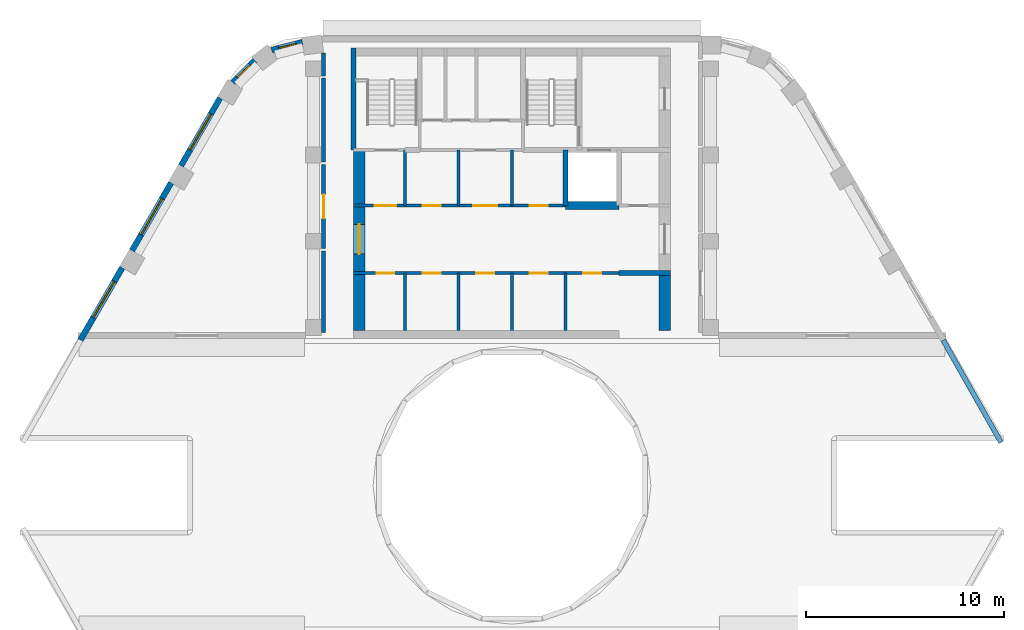
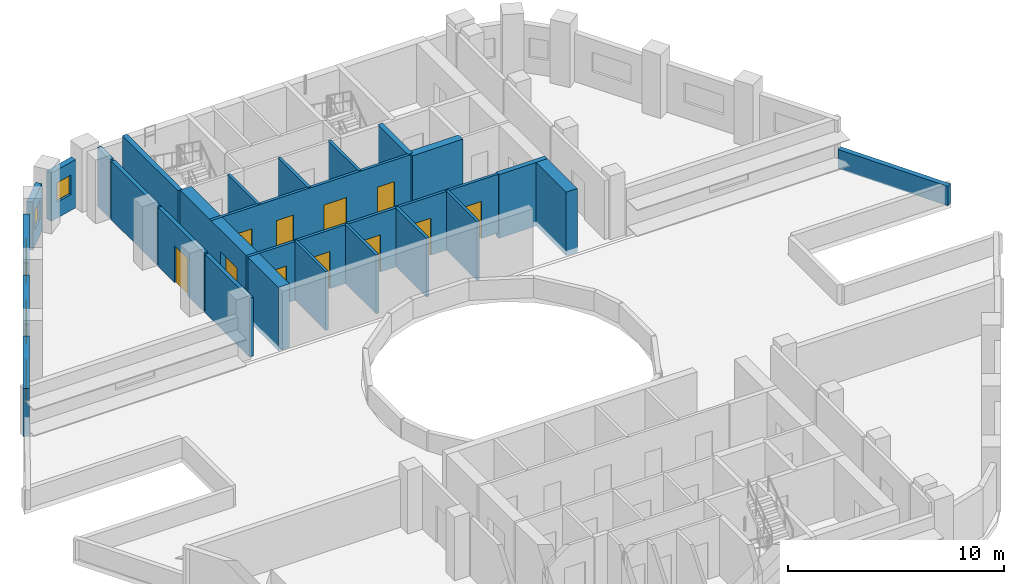
# One storey, part 4 of 9: 25 walls, 11 doors, 5 windows, 16 openings.
"""IFC4 building model written with IfcOpenShell, lengths in metres."""

import ifcopenshell
import ifcopenshell.guid

model = None  # the IFC model being written
_history = None  # IfcOwnerHistory: only IFC2X3 demands one
_inside = {}  # id of a spatial element -> (the spatial element, [elements in it])
_under = {}  # id of a project, library or spatial element -> (it, [spatial elements below it])
_declared = {}  # id of a project -> (the project, [libraries it declares])
_typed = {}  # id of a type object -> (the type object, [elements of that type])
_made_of = {}  # id of a material, layer set ... -> (it, [elements and type objects made of it])


def new_model(schema):
    """Start an empty IFC model of exactly this schema.

    Asked for "IFC4X3", IfcOpenShell would pick the latest addendum, in which some entities
    have other attributes; the version numbers below select the first issue.
    IFC2X3 requires an IfcOwnerHistory on every rooted entity: one is made here for all.
    """
    global model, _history
    if schema == "IFC4X3":
        model = ifcopenshell.file(schema_version=(4, 3, 0, 0))
    else:
        model = ifcopenshell.file(schema=schema)
    _inside.clear()
    _under.clear()
    _declared.clear()
    _typed.clear()
    _made_of.clear()
    _history = None
    if model.schema == "IFC2X3":
        org = make("IfcOrganization", Name="unknown")
        user = make(
            "IfcPersonAndOrganization",
            ThePerson=make("IfcPerson", FamilyName="unknown"),
            TheOrganization=org,
        )
        app = make(
            "IfcApplication",
            ApplicationDeveloper=org,
            Version="unknown",
            ApplicationFullName="unknown",
            ApplicationIdentifier="unknown",
        )
        _history = make(
            "IfcOwnerHistory",
            OwningUser=user,
            OwningApplication=app,
            ChangeAction="ADDED",
            CreationDate=0,
        )
    return model


def make(cls, **values):
    """One entity of the class cls with the attributes given. An attribute that is None is left unset."""
    return model.create_entity(
        cls, **{name: value for name, value in values.items() if value is not None}
    )


def rooted(cls, **values):
    """An entity with a GlobalId (a new one), such as an element, a storey or a relation."""
    return make(cls, GlobalId=ifcopenshell.guid.new(), OwnerHistory=_history, **values)


def si_unit(unit_type, name, prefix=None):
    """IfcSIUnit, for example si_unit("LENGTHUNIT", "METRE", prefix="MILLI")."""
    return make("IfcSIUnit", UnitType=unit_type, Prefix=prefix, Name=name)


def assignment(units):
    """IfcUnitAssignment: the units of a project."""
    return None if units is None else make("IfcUnitAssignment", Units=units)


def point(xyz):
    """IfcCartesianPoint."""
    return None if xyz is None else make("IfcCartesianPoint", Coordinates=xyz)


def direction(xyz):
    """IfcDirection."""
    return None if xyz is None else make("IfcDirection", DirectionRatios=xyz)


def frame(location, z_axis=None, x_axis=None):
    """IfcAxis2Placement3D, a coordinate frame: its origin and axes. An axis left out is left unset."""
    return make(
        "IfcAxis2Placement3D",
        Location=point(location),
        Axis=direction(z_axis),
        RefDirection=direction(x_axis),
    )


def frame_2d(location, x_axis=None):
    """IfcAxis2Placement2D, a coordinate frame in the plane: its origin and x axis."""
    return make(
        "IfcAxis2Placement2D", Location=point(location), RefDirection=direction(x_axis)
    )


def origin():
    """The frame at (0, 0, 0) with its axes left unset."""
    return frame((0.0, 0.0, 0.0))


def place(relative_to, where):
    """IfcLocalPlacement: puts the frame where relative to a parent placement (None: the world)."""
    return make(
        "IfcLocalPlacement", PlacementRelTo=relative_to, RelativePlacement=where
    )


def context(
    kind, dimensions, precision=None, world=None, true_north=None, identifier=None
):
    """IfcGeometricRepresentationContext, for example the 3D "Model" context."""
    return make(
        "IfcGeometricRepresentationContext",
        ContextIdentifier=identifier,
        ContextType=kind,
        CoordinateSpaceDimension=dimensions,
        Precision=precision,
        WorldCoordinateSystem=world,
        TrueNorth=true_north,
    )


def subcontext(parent, identifier, kind, view, scale=None):
    """IfcGeometricRepresentationSubContext, for example "Body" below "Model"."""
    return make(
        "IfcGeometricRepresentationSubContext",
        ContextIdentifier=identifier,
        ContextType=kind,
        ParentContext=parent,
        TargetScale=scale,
        TargetView=view,
    )


def project(units=None, contexts=None):
    """IfcProject with its units and contexts."""
    return rooted(
        "IfcProject",
        Name="project",
        RepresentationContexts=contexts,
        UnitsInContext=assignment(units),
    )


def spatial(cls, under=None, at=None, **own):
    """A site, building, storey or space (cls), placed at a placement, below another one or the project."""
    s = rooted(cls, ObjectPlacement=at, **own)
    if under is not None:
        _under.setdefault(under.id(), (under, []))[1].append(s)
    return s


def profile(cls, at=None, kind="AREA", **sizes):
    """A parametric profile (cls). Its sizes go by their IFC names, for example OverallWidth=200.0."""
    return make(cls, ProfileType=kind, Position=at, **sizes)


def rectangle(**sizes):
    """IfcRectangleProfileDef."""
    return profile("IfcRectangleProfileDef", **sizes)


def extrude(swept, where, along, depth):
    """IfcExtrudedAreaSolid: the profile swept, set in the frame where, extruded along a direction by depth."""
    return make(
        "IfcExtrudedAreaSolid",
        SweptArea=swept,
        Position=where,
        ExtrudedDirection=direction(along),
        Depth=depth,
    )


def shape(context_of_items, identifier, shape_type, items):
    """IfcShapeRepresentation: the items that make up one representation, for example the "Body"."""
    return make(
        "IfcShapeRepresentation",
        ContextOfItems=context_of_items,
        RepresentationIdentifier=identifier,
        RepresentationType=shape_type,
        Items=items,
    )


def material(Name=None, Category=None):
    """IfcMaterial."""
    return make("IfcMaterial", Name=Name, Category=Category)


def layer(
    of_material, thickness, ventilated=None, Name=None, Category=None, Priority=None
):
    """IfcMaterialLayer: one layer of a wall or slab, of a material (None: an air gap)."""
    return make(
        "IfcMaterialLayer",
        Material=of_material,
        LayerThickness=thickness,
        IsVentilated=ventilated,
        Name=Name,
        Category=Category,
        Priority=Priority,
    )


def layer_set(layers, Name=None):
    """IfcMaterialLayerSet."""
    return make("IfcMaterialLayerSet", MaterialLayers=layers, LayerSetName=Name)


def made_of(thing, what):
    """Note that an element or type object is made of a material, layer set ...; save() writes the relation."""
    if what is not None:
        _made_of.setdefault(what.id(), (what, []))[1].append(thing)
    return thing


def type_object(cls, material=None, **own):
    """A type object (cls), such as IfcWallType, which elements share."""
    return made_of(rooted(cls, **own), material)


def element(
    cls,
    number,
    at=None,
    inside=None,
    cuts=None,
    type_object=None,
    material=None,
    context=None,
    identifier="Body",
    shape_type=None,
    held_by="IfcProductDefinitionShape",
    body=None,
    shapes=None,
    **own,
):
    """One element of the class cls, such as IfcWall. Its Tag is "e" and its number.

    at: its placement. inside: the storey or other place that contains it. cuts: it is an
    opening in that element (IfcRelVoidsElement). A single representation is given by context,
    identifier, shape_type and body (its items); several are given by shapes. held_by: the class
    of the entity that holds the representations. save() writes the other relations.
    """
    e = rooted(cls, Tag="e%d" % number, ObjectPlacement=at, **own)
    if body is not None:
        shapes = [shape(context, identifier, shape_type, body)]
    if shapes is not None:
        e.Representation = make(held_by, Representations=shapes)
    if inside is not None:
        _inside.setdefault(inside.id(), (inside, []))[1].append(e)
    if cuts is not None:
        rooted(
            "IfcRelVoidsElement", RelatingBuildingElement=cuts, RelatedOpeningElement=e
        )
    if type_object is not None:
        _typed.setdefault(type_object.id(), (type_object, []))[1].append(e)
    return made_of(e, material)


def fill(opening, filler):
    """IfcRelFillsElement: the door or window that sits in an opening."""
    return rooted(
        "IfcRelFillsElement",
        RelatingOpeningElement=opening,
        RelatedBuildingElement=filler,
    )


def aggregate(whole, parts):
    """IfcRelAggregates: a whole, such as a stair, and the parts it consists of."""
    return rooted("IfcRelAggregates", RelatingObject=whole, RelatedObjects=parts)


def save(model, path):
    """Write the relations noted so far, then the file.

    IfcRelAggregates (storeys below a building ...), IfcRelContainedInSpatialStructure (elements
    in a storey), IfcRelDefinesByType, IfcRelAssociatesMaterial and IfcRelDeclares: one each for
    every whole, place, type object, material and project.
    """
    for whole, parts in _under.values():
        aggregate(whole, parts)
    for where, things in _inside.values():
        rooted(
            "IfcRelContainedInSpatialStructure",
            RelatedElements=things,
            RelatingStructure=where,
        )
    for kind, things in _typed.values():
        rooted("IfcRelDefinesByType", RelatedObjects=things, RelatingType=kind)
    for what, things in _made_of.values():
        rooted("IfcRelAssociatesMaterial", RelatedObjects=things, RelatingMaterial=what)
    for by, libraries in _declared.values():
        rooted("IfcRelDeclares", RelatingContext=by, RelatedDefinitions=libraries)
    model.write(path)


model = new_model("IFC4")

# Units and contexts
model_context = context("Model", 3, precision=1e-05, world=origin(), true_north=direction((0.0, 1.0)))
body_context = subcontext(model_context, "Body", "Model", "MODEL_VIEW")
ifc_project = project(units=[si_unit("LENGTHUNIT", "METRE"), si_unit("AREAUNIT", "SQUARE_METRE"), si_unit("VOLUMEUNIT", "CUBIC_METRE"), si_unit("PLANEANGLEUNIT", "RADIAN"), si_unit("MASSUNIT", "GRAM", prefix="KILO")], contexts=[model_context])

# Site, building, storey
site_placement = place(None, origin())
site = spatial("IfcSite", under=ifc_project, at=site_placement, CompositionType="ELEMENT")
building_placement = place(site_placement, origin())
building = spatial("IfcBuilding", under=site, at=building_placement, Name="Nakaniwa Court", CompositionType="ELEMENT")
storey_placement = place(building_placement, frame((0.0, 0.0, 276.0)))
storey = spatial("IfcBuildingStorey", under=building, at=storey_placement, Name="C02", CompositionType="ELEMENT", Elevation=276.0)

# Wall
ifc_material_1 = material(Name="Acoustic double stud partition")
ifc_layer_1 = layer(ifc_material_1, 0.199951171875)
ifc_layer_set_1 = layer_set([ifc_layer_1], Name="Acoustic double stud partition")
wall_type_1 = type_object("IfcWallType", Name="Acoustic double stud partition 200", PredefinedType="PARTITIONING", material=ifc_layer_set_1)
wall_1_placement = place(storey_placement, frame((70.5, 87.699951171875, 0.0), z_axis=(0.0, 0.0, 1.0), x_axis=(0.0, 1.0, 0.0)))
element("IfcWall", 1, at=wall_1_placement, inside=storey, type_object=wall_type_1, Name="Partition PW-069", PredefinedType="PARTITIONING", context=body_context, shape_type="SweptSolid", body=[
    extrude(rectangle(XDim=4.123046875, YDim=0.199951171875, at=frame_2d((2.0615234375, 0.0))), origin(), (0.0, 0.0, 1.0), 3.324951171875),
])

# Wall, opening, door
wall_2_placement = place(storey_placement, frame((70.5, 91.93701171875, 0.0), z_axis=(0.0, 0.0, 1.0), x_axis=(0.0, 1.0, 0.0)))
wall_2 = element("IfcWall", 2, at=wall_2_placement, inside=storey, type_object=wall_type_1, Name="Partition PW-070", PredefinedType="PARTITIONING", context=body_context, shape_type="SweptSolid", body=[
    extrude(rectangle(XDim=4.236083984375, YDim=0.199951171875, at=frame_2d((2.1181640625, 0.0))), origin(), (0.0, 0.0, 1.0), 3.324951171875),
])
opening_1_placement = place(wall_2_placement, frame((1.51806640625, 0.0, 0.0)))
opening_1 = element("IfcOpeningElement", 3, at=opening_1_placement, cuts=wall_2, Name="Opening D-30-03", PredefinedType="OPENING", context=body_context, shape_type="SweptSolid", body=[
    extrude(rectangle(XDim=1.199951171875, YDim=2.10009765625, at=frame_2d((0.60009765625, 1.050048828125))), frame((0.0, 0.10986328125, 0.0), z_axis=(0.0, -1.0, 0.0), x_axis=(1.0, 0.0, 0.0)), (0.0, 0.0, 1.0), 0.219970703125),
])
ifc_material_2 = material(Name="Solid core timber door set, black veneer", Category="wood")
door_type_1 = type_object("IfcDoorType", Name="Internal door 1200", OperationType="NOTDEFINED", PredefinedType="DOOR", material=ifc_material_2)
door_1_placement = place(opening_1_placement, origin())
door_1 = element("IfcDoor", 4, at=door_1_placement, inside=storey, type_object=door_type_1, Name="Door D-30-03 C02-036", OperationType="SINGLE_SWING_LEFT", OverallHeight=2.10009765625, OverallWidth=1.199951171875, PredefinedType="DOOR", context=body_context, shape_type="SweptSolid", body=[
    extrude(rectangle(XDim=1.199951171875, YDim=2.10009765625, at=frame_2d((0.60009765625, 1.050048828125))), frame((0.0, 0.02490234375, 0.0), z_axis=(0.0, -1.0, 0.0), x_axis=(1.0, 0.0, 0.0)), (0.0, 0.0, 1.0), 0.050048828125),
])
fill(opening_1, door_1)

# Walls
wall_3_placement = place(storey_placement, frame((70.5, 96.287109375, 0.0), z_axis=(0.0, 0.0, 1.0), x_axis=(0.0, 1.0, 0.0)))
element("IfcWall", 5, at=wall_3_placement, inside=storey, type_object=wall_type_1, Name="Partition PW-071", PredefinedType="PARTITIONING", context=body_context, shape_type="SweptSolid", body=[
    extrude(rectangle(XDim=4.23583984375, YDim=0.199951171875, at=frame_2d((2.117919921875, 0.0))), origin(), (0.0, 0.0, 1.0), 3.324951171875),
])
wall_4_placement = place(storey_placement, frame((70.5, 100.636962890625, 0.0), z_axis=(0.0, 0.0, 1.0), x_axis=(0.0, 1.0, 0.0)))
element("IfcWall", 6, at=wall_4_placement, inside=storey, type_object=wall_type_1, Name="Partition PW-072", PredefinedType="PARTITIONING", context=body_context, shape_type="SweptSolid", body=[
    extrude(rectangle(XDim=1.163818359375, YDim=0.199951171875, at=frame_2d((0.58203125, 0.0))), origin(), (0.0, 0.0, 1.0), 3.324951171875),
])

# Wall, opening, window
ifc_material_3 = material(Name="Charcoal ceramic cladding")
ifc_layer_2 = layer(ifc_material_3, 0.02, Name="Ceramic cladding")
ifc_material_4 = material(Name="Ventilated air cavity")
ifc_layer_3 = layer(ifc_material_4, 0.04, ventilated=True, Name="Ventilated cavity")
ifc_material_5 = material(Name="Mineral wool insulation")
ifc_layer_4 = layer(ifc_material_5, 0.1, Name="Insulation")
ifc_material_6 = material(Name="Cement bonded sheathing board")
ifc_layer_5 = layer(ifc_material_6, 0.012, Name="Sheathing")
ifc_material_7 = material(Name="Cold-formed galvanised stud frame with mineral wool infill")
ifc_layer_6 = layer(ifc_material_7, 0.1, Name="Stud frame")
ifc_material_8 = material(Name="Fire-rated gypsum plasterboard lining")
ifc_layer_7 = layer(ifc_material_8, 0.028, Name="Lining")
ifc_layer_set_2 = layer_set([ifc_layer_2, ifc_layer_3, ifc_layer_4, ifc_layer_5, ifc_layer_6, ifc_layer_7], Name="Charcoal ceramic faced external wall system")
wall_type_2 = type_object("IfcWallType", Name="Black ceramic faced external wall 300", PredefinedType="SOLIDWALL", material=ifc_layer_set_2)
wall_5_placement = place(storey_placement, frame((65.2890625, 99.52001953125, 0.0), z_axis=(0.0, 0.0, 1.0), x_axis=(-0.499986771468, -0.866033041146, 0.0)))
wall_5 = element("IfcWall", 7, at=wall_5_placement, inside=storey, type_object=wall_type_2, Name="C02 external wall 13", PredefinedType="SOLIDWALL", context=body_context, shape_type="SweptSolid", body=[
    extrude(rectangle(XDim=3.9443359375, YDim=0.300048828125, at=frame_2d((1.97216796875, 0.0))), origin(), (0.0, 0.0, 1.0), 2.72509765625),
])
opening_2_placement = place(wall_5_placement, frame((0.922119140625, 0.0, 0.89990234375)))
opening_2 = element("IfcOpeningElement", 8, at=opening_2_placement, cuts=wall_5, Name="Opening W7.01", PredefinedType="OPENING", context=body_context, shape_type="SweptSolid", body=[
    extrude(rectangle(XDim=2.10009765625, YDim=1.10009765625, at=frame_2d((1.050048828125, 0.550048828125))), frame((0.0, 0.159912109375, 0.0), z_axis=(0.0, -1.0, 0.0), x_axis=(1.0, 0.0, 0.0)), (0.0, 0.0, 1.0), 0.320068359375),
])
ifc_material_9 = material(Name="Black anodised aluminium frame with dark low-E laminated double glazing", Category="aluminium")
window_type_1 = type_object("IfcWindowType", Name="Dark glass window 2100x1100 sill 900", PartitioningType="SINGLE_PANEL", PredefinedType="WINDOW", material=ifc_material_9)
window_1_placement = place(opening_2_placement, origin())
window_1 = element("IfcWindow", 9, at=window_1_placement, inside=storey, type_object=window_type_1, Name="C02 habitable room window 13-0", OverallHeight=1.10009765625, OverallWidth=2.10009765625, PartitioningType="SINGLE_PANEL", PredefinedType="WINDOW", context=body_context, shape_type="SweptSolid", body=[
    extrude(rectangle(XDim=2.10009765625, YDim=1.10009765625, at=frame_2d((1.050048828125, 0.550048828125))), frame((0.0, 0.030029296875, 0.0), z_axis=(0.0, -1.0, 0.0), x_axis=(1.0, 0.0, 0.0)), (0.0, 0.0, 1.0), 0.06005859375),
])
fill(opening_2, window_1)

wall_6_placement = place(storey_placement, frame((62.821044921875, 95.2451171875, 0.0), z_axis=(0.0, 0.0, 1.0), x_axis=(-0.499986771468, -0.866033041146, 0.0)))
wall_6 = element("IfcWall", 10, at=wall_6_placement, inside=storey, type_object=wall_type_2, Name="C02 external wall 14", PredefinedType="SOLIDWALL", context=body_context, shape_type="SweptSolid", body=[
    extrude(rectangle(XDim=3.9443359375, YDim=0.300048828125, at=frame_2d((1.97216796875, 0.0))), origin(), (0.0, 0.0, 1.0), 2.72509765625),
])
opening_3_placement = place(wall_6_placement, frame((0.922119140625, 0.0, 0.89990234375)))
opening_3 = element("IfcOpeningElement", 11, at=opening_3_placement, cuts=wall_6, Name="Opening W7.02", PredefinedType="OPENING", context=body_context, shape_type="SweptSolid", body=[
    extrude(rectangle(XDim=2.10009765625, YDim=1.10009765625, at=frame_2d((1.050048828125, 0.550048828125))), frame((0.0, 0.159912109375, 0.0), z_axis=(0.0, -1.0, 0.0), x_axis=(1.0, 0.0, 0.0)), (0.0, 0.0, 1.0), 0.320068359375),
])
window_2_placement = place(opening_3_placement, origin())
window_2 = element("IfcWindow", 12, at=window_2_placement, inside=storey, type_object=window_type_1, Name="C02 habitable room window 14-0", OverallHeight=1.10009765625, OverallWidth=2.10009765625, PartitioningType="SINGLE_PANEL", PredefinedType="WINDOW", context=body_context, shape_type="SweptSolid", body=[
    extrude(rectangle(XDim=2.10009765625, YDim=1.10009765625, at=frame_2d((1.050048828125, 0.550048828125))), frame((0.0, 0.030029296875, 0.0), z_axis=(0.0, -1.0, 0.0), x_axis=(1.0, 0.0, 0.0)), (0.0, 0.0, 1.0), 0.06005859375),
])
fill(opening_3, window_2)

wall_7_placement = place(storey_placement, frame((60.352783203125, 90.97021484375, 0.0), z_axis=(0.0, 0.0, 1.0), x_axis=(-0.499981865284, -0.866035873614, 0.0)))
wall_7 = element("IfcWall", 13, at=wall_7_placement, inside=storey, type_object=wall_type_2, Name="C02 external wall 15", PredefinedType="SOLIDWALL", context=body_context, shape_type="SweptSolid", body=[
    extrude(rectangle(XDim=4.209228515625, YDim=0.300048828125, at=frame_2d((2.1044921875, 0.0))), origin(), (0.0, 0.0, 1.0), 2.72509765625),
])
opening_4_placement = place(wall_7_placement, frame((0.801025390625, 0.0, 0.89990234375)))
opening_4 = element("IfcOpeningElement", 14, at=opening_4_placement, cuts=wall_7, Name="Opening W7.03", PredefinedType="OPENING", context=body_context, shape_type="SweptSolid", body=[
    extrude(rectangle(XDim=2.10009765625, YDim=1.10009765625, at=frame_2d((1.050048828125, 0.550048828125))), frame((0.0, 0.159912109375, 0.0), z_axis=(0.0, -1.0, 0.0), x_axis=(1.0, 0.0, 0.0)), (0.0, 0.0, 1.0), 0.320068359375),
])
window_3_placement = place(opening_4_placement, origin())
window_3 = element("IfcWindow", 15, at=window_3_placement, inside=storey, type_object=window_type_1, Name="C02 habitable room window 15-0", OverallHeight=1.10009765625, OverallWidth=2.10009765625, PartitioningType="SINGLE_PANEL", PredefinedType="WINDOW", context=body_context, shape_type="SweptSolid", body=[
    extrude(rectangle(XDim=2.10009765625, YDim=1.10009765625, at=frame_2d((1.050048828125, 0.550048828125))), frame((0.0, 0.030029296875, 0.0), z_axis=(0.0, -1.0, 0.0), x_axis=(1.0, 0.0, 0.0)), (0.0, 0.0, 1.0), 0.06005859375),
])
fill(opening_4, window_3)

wall_8_placement = place(storey_placement, frame((69.436767578125, 102.333251953125, 0.0), z_axis=(0.0, 0.0, 1.0), x_axis=(-0.968770279168, -0.247959968947, 0.0)))
wall_8 = element("IfcWall", 16, at=wall_8_placement, inside=storey, type_object=wall_type_2, Name="C02 external wall 24", PredefinedType="SOLIDWALL", context=body_context, shape_type="SweptSolid", body=[
    extrude(rectangle(XDim=1.597900390625, YDim=0.300048828125, at=frame_2d((0.798828125, 0.0))), origin(), (0.0, 0.0, 1.0), 2.72509765625),
])
opening_5_placement = place(wall_8_placement, frame((0.324951171875, 0.0, 0.89990234375)))
opening_5 = element("IfcOpeningElement", 17, at=opening_5_placement, cuts=wall_8, Name="Opening W9.11", PredefinedType="OPENING", context=body_context, shape_type="SweptSolid", body=[
    extrude(rectangle(XDim=0.89990234375, YDim=1.10009765625, at=frame_2d((0.449951171875, 0.550048828125))), frame((0.0, 0.159912109375, 0.0), z_axis=(0.0, -1.0, 0.0), x_axis=(1.0, 0.0, 0.0)), (0.0, 0.0, 1.0), 0.320068359375),
])
window_type_2 = type_object("IfcWindowType", Name="Dark glass window 900x1100 sill 900", PartitioningType="SINGLE_PANEL", PredefinedType="WINDOW", material=ifc_material_9)
window_4_placement = place(opening_5_placement, origin())
window_4 = element("IfcWindow", 18, at=window_4_placement, inside=storey, type_object=window_type_2, Name="C02 habitable room window 24-0", OverallHeight=1.10009765625, OverallWidth=0.89990234375, PartitioningType="SINGLE_PANEL", PredefinedType="WINDOW", context=body_context, shape_type="SweptSolid", body=[
    extrude(rectangle(XDim=0.89990234375, YDim=1.10009765625, at=frame_2d((0.449951171875, 0.550048828125))), frame((0.0, 0.030029296875, 0.0), z_axis=(0.0, -1.0, 0.0), x_axis=(1.0, 0.0, 0.0)), (0.0, 0.0, 1.0), 0.06005859375),
])
fill(opening_5, window_4)

wall_9_placement = place(storey_placement, frame((67.039306640625, 101.41357421875, 0.0), z_axis=(0.0, 0.0, 1.0), x_axis=(-0.708575326337, -0.705635179754, 0.0)))
wall_9 = element("IfcWall", 19, at=wall_9_placement, inside=storey, type_object=wall_type_2, Name="C02 external wall 25", PredefinedType="SOLIDWALL", context=body_context, shape_type="SweptSolid", body=[
    extrude(rectangle(XDim=1.57763671875, YDim=0.300048828125, at=frame_2d((0.788818359375, 0.0))), origin(), (0.0, 0.0, 1.0), 2.72509765625),
])
opening_6_placement = place(wall_9_placement, frame((0.328369140625, 0.0, 0.89990234375)))
opening_6 = element("IfcOpeningElement", 20, at=opening_6_placement, cuts=wall_9, Name="Opening W9.12", PredefinedType="OPENING", context=body_context, shape_type="SweptSolid", body=[
    extrude(rectangle(XDim=0.89990234375, YDim=1.10009765625, at=frame_2d((0.449951171875, 0.550048828125))), frame((0.0, 0.159912109375, 0.0), z_axis=(0.0, -1.0, 0.0), x_axis=(1.0, 0.0, 0.0)), (0.0, 0.0, 1.0), 0.320068359375),
])
window_5_placement = place(opening_6_placement, origin())
window_5 = element("IfcWindow", 21, at=window_5_placement, inside=storey, type_object=window_type_2, Name="C02 habitable room window 25-0", OverallHeight=1.10009765625, OverallWidth=0.89990234375, PartitioningType="SINGLE_PANEL", PredefinedType="WINDOW", context=body_context, shape_type="SweptSolid", body=[
    extrude(rectangle(XDim=0.89990234375, YDim=1.10009765625, at=frame_2d((0.449951171875, 0.550048828125))), frame((0.0, 0.030029296875, 0.0), z_axis=(0.0, -1.0, 0.0), x_axis=(1.0, 0.0, 0.0)), (0.0, 0.0, 1.0), 0.06005859375),
])
fill(opening_6, window_5)

# Walls
ifc_layer_8 = layer(ifc_material_3, 0.02, Name="Ceramic cladding")
ifc_layer_9 = layer(ifc_material_5, 0.03, Name="Insulation")
ifc_material_10 = material(Name="Precast concrete C40/50", Category="concrete")
ifc_layer_10 = layer(ifc_material_10, 0.2, Name="Parapet upstand")
ifc_layer_set_3 = layer_set([ifc_layer_8, ifc_layer_9, ifc_layer_10], Name="Charcoal ceramic cladding on precast concrete C40/50 upstand")
wall_type_3 = type_object("IfcWallType", Name="Black ceramic parapet 250", PredefinedType="PARAPET", material=ifc_layer_set_3)
wall_10_placement = place(storey_placement, frame((104.648681640625, 82.16552734375, 0.0), z_axis=(0.0, 0.0, 1.0), x_axis=(-0.492736734633, 0.870178435922, 0.0)))
element("IfcWall", 22, at=wall_10_placement, inside=storey, type_object=wall_type_3, Name="C01 roof parapet, lower roof 1 3", PredefinedType="PARAPET", context=body_context, shape_type="SweptSolid", body=[
    extrude(rectangle(XDim=5.91845703125, YDim=0.25, at=frame_2d((2.959228515625, 0.0))), origin(), (0.0, 0.0, 1.0), 1.10009765625),
])
ifc_material_11 = material(Name="Blockwork partition", Category="masonry")
ifc_layer_11 = layer(ifc_material_11, 0.14990234375)
ifc_layer_set_4 = layer_set([ifc_layer_11], Name="Blockwork partition")
wall_type_4 = type_object("IfcWallType", Name="Blockwork partition 150", PredefinedType="PARTITIONING", material=ifc_layer_set_4)
wall_11_placement = place(storey_placement, frame((74.60009765625, 87.800048828125, 0.0), z_axis=(0.0, 0.0, 1.0), x_axis=(0.0, 1.0, 0.0)))
element("IfcWall", 23, at=wall_11_placement, inside=storey, type_object=wall_type_4, Name="Partition PW-001", PredefinedType="PARTITIONING", context=body_context, shape_type="SweptSolid", body=[
    extrude(rectangle(XDim=2.89990234375, YDim=0.14990234375, at=frame_2d((1.449951171875, 0.0))), origin(), (0.0, 0.0, 1.0), 3.324951171875),
])
wall_12_placement = place(storey_placement, frame((74.60009765625, 94.10009765625, 0.0), z_axis=(0.0, 0.0, 1.0), x_axis=(0.0, 1.0, 0.0)))
element("IfcWall", 24, at=wall_12_placement, inside=storey, type_object=wall_type_4, Name="Partition PW-002", PredefinedType="PARTITIONING", context=body_context, shape_type="SweptSolid", body=[
    extrude(rectangle(XDim=2.7998046875, YDim=0.14990234375, at=frame_2d((1.39990234375, 0.0))), origin(), (0.0, 0.0, 1.0), 3.324951171875),
])

# Wall, openings, doors
wall_13_placement = place(storey_placement, frame((85.39990234375, 90.699951171875, 0.0), z_axis=(0.0, 0.0, 1.0), x_axis=(-1.0, 0.0, 0.0)))
wall_13 = element("IfcWall", 25, at=wall_13_placement, inside=storey, type_object=wall_type_4, Name="Partition PW-003", PredefinedType="PARTITIONING", context=body_context, shape_type="SweptSolid", body=[
    extrude(rectangle(XDim=13.39990234375, YDim=0.14990234375, at=frame_2d((6.699951171875, 0.0))), origin(), (0.0, 0.0, 1.0), 3.324951171875),
])
opening_7_placement = place(wall_13_placement, frame((11.324951171875, 0.0, 0.0)))
opening_7 = element("IfcOpeningElement", 26, at=opening_7_placement, cuts=wall_13, Name="Opening D-05-01", PredefinedType="OPENING", context=body_context, shape_type="SweptSolid", body=[
    extrude(rectangle(XDim=0.89990234375, YDim=2.10009765625, at=frame_2d((0.449951171875, 1.050048828125))), frame((0.0, 0.0849609375, 0.0), z_axis=(0.0, -1.0, 0.0), x_axis=(1.0, 0.0, 0.0)), (0.0, 0.0, 1.0), 0.169921875),
])
opening_8_placement = place(wall_13_placement, frame((9.0, 0.0, 0.0)))
opening_8 = element("IfcOpeningElement", 27, at=opening_8_placement, cuts=wall_13, Name="Opening D-05-02", PredefinedType="OPENING", context=body_context, shape_type="SweptSolid", body=[
    extrude(rectangle(XDim=0.89990234375, YDim=2.10009765625, at=frame_2d((0.449951171875, 1.050048828125))), frame((0.0, 0.0849609375, 0.0), z_axis=(0.0, -1.0, 0.0), x_axis=(1.0, 0.0, 0.0)), (0.0, 0.0, 1.0), 0.169921875),
])
opening_9_placement = place(wall_13_placement, frame((6.300048828125, 0.0, 0.0)))
opening_9 = element("IfcOpeningElement", 28, at=opening_9_placement, cuts=wall_13, Name="Opening D-05-03", PredefinedType="OPENING", context=body_context, shape_type="SweptSolid", body=[
    extrude(rectangle(XDim=0.89990234375, YDim=2.10009765625, at=frame_2d((0.449951171875, 1.050048828125))), frame((0.0, 0.0849609375, 0.0), z_axis=(0.0, -1.0, 0.0), x_axis=(1.0, 0.0, 0.0)), (0.0, 0.0, 1.0), 0.169921875),
])
opening_10_placement = place(wall_13_placement, frame((3.60009765625, 0.0, 0.0)))
opening_10 = element("IfcOpeningElement", 29, at=opening_10_placement, cuts=wall_13, Name="Opening D-05-04", PredefinedType="OPENING", context=body_context, shape_type="SweptSolid", body=[
    extrude(rectangle(XDim=0.89990234375, YDim=2.10009765625, at=frame_2d((0.449951171875, 1.050048828125))), frame((0.0, 0.0849609375, 0.0), z_axis=(0.0, -1.0, 0.0), x_axis=(1.0, 0.0, 0.0)), (0.0, 0.0, 1.0), 0.169921875),
])
opening_11_placement = place(wall_13_placement, frame((0.89990234375, 0.0, 0.0)))
opening_11 = element("IfcOpeningElement", 30, at=opening_11_placement, cuts=wall_13, Name="Opening D-05-05", PredefinedType="OPENING", context=body_context, shape_type="SweptSolid", body=[
    extrude(rectangle(XDim=0.89990234375, YDim=2.10009765625, at=frame_2d((0.449951171875, 1.050048828125))), frame((0.0, 0.0849609375, 0.0), z_axis=(0.0, -1.0, 0.0), x_axis=(1.0, 0.0, 0.0)), (0.0, 0.0, 1.0), 0.169921875),
])
ifc_material_12 = material(Name="Fire rated steel door set", Category="steel")
door_type_2 = type_object("IfcDoorType", Name="Service room door 900", OperationType="NOTDEFINED", PredefinedType="DOOR", material=ifc_material_12)
door_2_placement = place(opening_7_placement, origin())
door_2 = element("IfcDoor", 31, at=door_2_placement, inside=storey, type_object=door_type_2, Name="Door D-05-01 C02-001", OperationType="SINGLE_SWING_RIGHT", OverallHeight=2.10009765625, OverallWidth=0.89990234375, PredefinedType="DOOR", context=body_context, shape_type="SweptSolid", body=[
    extrude(rectangle(XDim=0.89990234375, YDim=2.10009765625, at=frame_2d((0.449951171875, 1.050048828125))), frame((0.0, 0.02490234375, 0.0), z_axis=(0.0, -1.0, 0.0), x_axis=(1.0, 0.0, 0.0)), (0.0, 0.0, 1.0), 0.050048828125),
])
fill(opening_7, door_2)
door_3_placement = place(opening_8_placement, origin())
door_3 = element("IfcDoor", 32, at=door_3_placement, inside=storey, type_object=door_type_2, Name="Door D-05-02 C02-002", OperationType="SINGLE_SWING_LEFT", OverallHeight=2.10009765625, OverallWidth=0.89990234375, PredefinedType="DOOR", context=body_context, shape_type="SweptSolid", body=[
    extrude(rectangle(XDim=0.89990234375, YDim=2.10009765625, at=frame_2d((0.449951171875, 1.050048828125))), frame((0.0, 0.02490234375, 0.0), z_axis=(0.0, -1.0, 0.0), x_axis=(1.0, 0.0, 0.0)), (0.0, 0.0, 1.0), 0.050048828125),
])
fill(opening_8, door_3)
door_4_placement = place(opening_9_placement, origin())
door_4 = element("IfcDoor", 33, at=door_4_placement, inside=storey, type_object=door_type_2, Name="Door D-05-03 C02-003", OperationType="SINGLE_SWING_RIGHT", OverallHeight=2.10009765625, OverallWidth=0.89990234375, PredefinedType="DOOR", context=body_context, shape_type="SweptSolid", body=[
    extrude(rectangle(XDim=0.89990234375, YDim=2.10009765625, at=frame_2d((0.449951171875, 1.050048828125))), frame((0.0, 0.02490234375, 0.0), z_axis=(0.0, -1.0, 0.0), x_axis=(1.0, 0.0, 0.0)), (0.0, 0.0, 1.0), 0.050048828125),
])
fill(opening_9, door_4)
door_5_placement = place(opening_10_placement, origin())
door_5 = element("IfcDoor", 34, at=door_5_placement, inside=storey, type_object=door_type_2, Name="Door D-05-04 C02-004", OperationType="SINGLE_SWING_LEFT", OverallHeight=2.10009765625, OverallWidth=0.89990234375, PredefinedType="DOOR", context=body_context, shape_type="SweptSolid", body=[
    extrude(rectangle(XDim=0.89990234375, YDim=2.10009765625, at=frame_2d((0.449951171875, 1.050048828125))), frame((0.0, 0.02490234375, 0.0), z_axis=(0.0, -1.0, 0.0), x_axis=(1.0, 0.0, 0.0)), (0.0, 0.0, 1.0), 0.050048828125),
])
fill(opening_10, door_5)
door_6_placement = place(opening_11_placement, origin())
door_6 = element("IfcDoor", 35, at=door_6_placement, inside=storey, type_object=door_type_2, Name="Door D-05-05 C02-005", OperationType="SINGLE_SWING_RIGHT", OverallHeight=2.10009765625, OverallWidth=0.89990234375, PredefinedType="DOOR", context=body_context, shape_type="SweptSolid", body=[
    extrude(rectangle(XDim=0.89990234375, YDim=2.10009765625, at=frame_2d((0.449951171875, 1.050048828125))), frame((0.0, 0.02490234375, 0.0), z_axis=(0.0, -1.0, 0.0), x_axis=(1.0, 0.0, 0.0)), (0.0, 0.0, 1.0), 0.050048828125),
])
fill(opening_11, door_6)

# Walls
wall_14_placement = place(storey_placement, frame((77.300048828125, 87.800048828125, 0.0), z_axis=(0.0, 0.0, 1.0), x_axis=(0.0, 1.0, 0.0)))
element("IfcWall", 36, at=wall_14_placement, inside=storey, type_object=wall_type_4, Name="Partition PW-005", PredefinedType="PARTITIONING", context=body_context, shape_type="SweptSolid", body=[
    extrude(rectangle(XDim=2.89990234375, YDim=0.14990234375, at=frame_2d((1.449951171875, 0.0))), origin(), (0.0, 0.0, 1.0), 3.324951171875),
])
wall_15_placement = place(storey_placement, frame((77.300048828125, 94.10009765625, 0.0), z_axis=(0.0, 0.0, 1.0), x_axis=(0.0, 1.0, 0.0)))
element("IfcWall", 37, at=wall_15_placement, inside=storey, type_object=wall_type_4, Name="Partition PW-006", PredefinedType="PARTITIONING", context=body_context, shape_type="SweptSolid", body=[
    extrude(rectangle(XDim=2.7998046875, YDim=0.14990234375, at=frame_2d((1.39990234375, 0.0))), origin(), (0.0, 0.0, 1.0), 3.324951171875),
])
wall_16_placement = place(storey_placement, frame((80.0, 87.800048828125, 0.0), z_axis=(0.0, 0.0, 1.0), x_axis=(0.0, 1.0, 0.0)))
element("IfcWall", 38, at=wall_16_placement, inside=storey, type_object=wall_type_4, Name="Partition PW-007", PredefinedType="PARTITIONING", context=body_context, shape_type="SweptSolid", body=[
    extrude(rectangle(XDim=2.89990234375, YDim=0.14990234375, at=frame_2d((1.449951171875, 0.0))), origin(), (0.0, 0.0, 1.0), 3.324951171875),
])
wall_17_placement = place(storey_placement, frame((80.0, 94.10009765625, 0.0), z_axis=(0.0, 0.0, 1.0), x_axis=(0.0, 1.0, 0.0)))
element("IfcWall", 39, at=wall_17_placement, inside=storey, type_object=wall_type_4, Name="Partition PW-008", PredefinedType="PARTITIONING", context=body_context, shape_type="SweptSolid", body=[
    extrude(rectangle(XDim=2.7998046875, YDim=0.14990234375, at=frame_2d((1.39990234375, 0.0))), origin(), (0.0, 0.0, 1.0), 3.324951171875),
])
wall_18_placement = place(storey_placement, frame((82.699951171875, 87.800048828125, 0.0), z_axis=(0.0, 0.0, 1.0), x_axis=(0.0, 1.0, 0.0)))
element("IfcWall", 40, at=wall_18_placement, inside=storey, type_object=wall_type_4, Name="Partition PW-009", PredefinedType="PARTITIONING", context=body_context, shape_type="SweptSolid", body=[
    extrude(rectangle(XDim=2.89990234375, YDim=0.14990234375, at=frame_2d((1.449951171875, 0.0))), origin(), (0.0, 0.0, 1.0), 3.324951171875),
])

# Wall, openings, doors
wall_19_placement = place(storey_placement, frame((72.0, 94.10009765625, 0.0), z_axis=(0.0, 0.0, 1.0), x_axis=(1.0, 0.0, 0.0)))
wall_19 = element("IfcWall", 41, at=wall_19_placement, inside=storey, type_object=wall_type_4, Name="Partition PW-010", PredefinedType="PARTITIONING", context=body_context, shape_type="SweptSolid", body=[
    extrude(rectangle(XDim=10.702880859375, YDim=0.14990234375, at=frame_2d((5.3515625, 0.0))), origin(), (0.0, 0.0, 1.0), 3.324951171875),
])
opening_12_placement = place(wall_19_placement, frame((1.074951171875, 0.0, 0.0)))
opening_12 = element("IfcOpeningElement", 42, at=opening_12_placement, cuts=wall_19, Name="Opening D-08-01", PredefinedType="OPENING", context=body_context, shape_type="SweptSolid", body=[
    extrude(rectangle(XDim=1.10009765625, YDim=2.10009765625, at=frame_2d((0.550048828125, 1.050048828125))), frame((0.0, 0.0849609375, 0.0), z_axis=(0.0, -1.0, 0.0), x_axis=(1.0, 0.0, 0.0)), (0.0, 0.0, 1.0), 0.169921875),
])
opening_13_placement = place(wall_19_placement, frame((3.5, 0.0, 0.0)))
opening_13 = element("IfcOpeningElement", 43, at=opening_13_placement, cuts=wall_19, Name="Opening D-05-06", PredefinedType="OPENING", context=body_context, shape_type="SweptSolid", body=[
    extrude(rectangle(XDim=0.89990234375, YDim=2.10009765625, at=frame_2d((0.449951171875, 1.050048828125))), frame((0.0, 0.0849609375, 0.0), z_axis=(0.0, -1.0, 0.0), x_axis=(1.0, 0.0, 0.0)), (0.0, 0.0, 1.0), 0.169921875),
])
opening_14_placement = place(wall_19_placement, frame((6.050048828125, 0.0, 0.0)))
opening_14 = element("IfcOpeningElement", 44, at=opening_14_placement, cuts=wall_19, Name="Opening D-06-01", PredefinedType="OPENING", context=body_context, shape_type="SweptSolid", body=[
    extrude(rectangle(XDim=1.199951171875, YDim=2.10009765625, at=frame_2d((0.60009765625, 1.050048828125))), frame((0.0, 0.0849609375, 0.0), z_axis=(0.0, -1.0, 0.0), x_axis=(1.0, 0.0, 0.0)), (0.0, 0.0, 1.0), 0.169921875),
])
opening_15_placement = place(wall_19_placement, frame((8.89990234375, 0.0, 0.0)))
opening_15 = element("IfcOpeningElement", 45, at=opening_15_placement, cuts=wall_19, Name="Opening D-05-07", PredefinedType="OPENING", context=body_context, shape_type="SweptSolid", body=[
    extrude(rectangle(XDim=0.89990234375, YDim=2.10009765625, at=frame_2d((0.449951171875, 1.050048828125))), frame((0.0, 0.0849609375, 0.0), z_axis=(0.0, -1.0, 0.0), x_axis=(1.0, 0.0, 0.0)), (0.0, 0.0, 1.0), 0.169921875),
])
ifc_material_13 = material(Name="Fire rated steel double door set", Category="steel")
door_type_3 = type_object("IfcDoorType", Name="Service passage double door 1200", OperationType="NOTDEFINED", PredefinedType="DOOR", material=ifc_material_13)
door_7_placement = place(opening_14_placement, origin())
door_7 = element("IfcDoor", 46, at=door_7_placement, inside=storey, type_object=door_type_3, Name="Door D-06-01 C02-008", OperationType="DOUBLE_DOOR_SINGLE_SWING", OverallHeight=2.10009765625, OverallWidth=1.199951171875, PredefinedType="DOOR", context=body_context, shape_type="SweptSolid", body=[
    extrude(rectangle(XDim=1.199951171875, YDim=2.10009765625, at=frame_2d((0.60009765625, 1.050048828125))), frame((0.0, 0.02490234375, 0.0), z_axis=(0.0, -1.0, 0.0), x_axis=(1.0, 0.0, 0.0)), (0.0, 0.0, 1.0), 0.050048828125),
])
fill(opening_14, door_7)
door_8_placement = place(opening_13_placement, origin())
door_8 = element("IfcDoor", 47, at=door_8_placement, inside=storey, type_object=door_type_2, Name="Door D-05-06 C02-007", OperationType="SINGLE_SWING_RIGHT", OverallHeight=2.10009765625, OverallWidth=0.89990234375, PredefinedType="DOOR", context=body_context, shape_type="SweptSolid", body=[
    extrude(rectangle(XDim=0.89990234375, YDim=2.10009765625, at=frame_2d((0.449951171875, 1.050048828125))), frame((0.0, 0.02490234375, 0.0), z_axis=(0.0, -1.0, 0.0), x_axis=(1.0, 0.0, 0.0)), (0.0, 0.0, 1.0), 0.050048828125),
])
fill(opening_13, door_8)
door_9_placement = place(opening_15_placement, origin())
door_9 = element("IfcDoor", 48, at=door_9_placement, inside=storey, type_object=door_type_2, Name="Door D-05-07 C02-009", OperationType="SINGLE_SWING_RIGHT", OverallHeight=2.10009765625, OverallWidth=0.89990234375, PredefinedType="DOOR", context=body_context, shape_type="SweptSolid", body=[
    extrude(rectangle(XDim=0.89990234375, YDim=2.10009765625, at=frame_2d((0.449951171875, 1.050048828125))), frame((0.0, 0.02490234375, 0.0), z_axis=(0.0, -1.0, 0.0), x_axis=(1.0, 0.0, 0.0)), (0.0, 0.0, 1.0), 0.050048828125),
])
fill(opening_15, door_9)
door_type_4 = type_object("IfcDoorType", Name="Stair lobby door 1100", OperationType="NOTDEFINED", PredefinedType="DOOR", material=ifc_material_12)
door_10_placement = place(opening_12_placement, origin())
door_10 = element("IfcDoor", 49, at=door_10_placement, inside=storey, type_object=door_type_4, Name="Door D-08-01 C02-006", OperationType="SINGLE_SWING_LEFT", OverallHeight=2.10009765625, OverallWidth=1.10009765625, PredefinedType="DOOR", context=body_context, shape_type="SweptSolid", body=[
    extrude(rectangle(XDim=1.10009765625, YDim=2.10009765625, at=frame_2d((0.550048828125, 1.050048828125))), frame((0.0, 0.02490234375, 0.0), z_axis=(0.0, -1.0, 0.0), x_axis=(1.0, 0.0, 0.0)), (0.0, 0.0, 1.0), 0.050048828125),
])
fill(opening_12, door_10)

# Wall, opening, door
ifc_material_14 = material(Name="Concrete C80/100", Category="concrete")
ifc_layer_12 = layer(ifc_material_14, 0.60009765625)
ifc_layer_set_5 = layer_set([ifc_layer_12], Name="Concrete C80/100")
wall_type_5 = type_object("IfcWallType", Name="Concrete core side wall 600 C80", PredefinedType="SHEAR", material=ifc_layer_set_5)
wall_20_placement = place(storey_placement, frame((72.300048828125, 87.800048828125, -0.27490234375), z_axis=(0.0, 0.0, 1.0), x_axis=(0.0, 1.0, 0.0)))
wall_20 = element("IfcWall", 50, at=wall_20_placement, inside=storey, type_object=wall_type_5, Name="Core wall SW-04", PredefinedType="SHEAR", context=body_context, shape_type="SweptSolid", body=[
    extrude(rectangle(XDim=9.099853515625, YDim=0.60009765625, at=frame_2d((4.5498046875, 0.0))), origin(), (0.0, 0.0, 1.0), 3.599853515625),
])
opening_16_placement = place(wall_20_placement, frame((3.85009765625, 0.0, 0.27490234375)))
opening_16 = element("IfcOpeningElement", 51, at=opening_16_placement, cuts=wall_20, Name="Opening D-07-02", PredefinedType="OPENING", context=body_context, shape_type="SweptSolid", body=[
    extrude(rectangle(XDim=1.5, YDim=2.10009765625, at=frame_2d((0.75, 1.050048828125))), frame((0.0, 0.31005859375, 0.0), z_axis=(0.0, -1.0, 0.0), x_axis=(1.0, 0.0, 0.0)), (0.0, 0.0, 1.0), 0.6201171875),
])
ifc_material_15 = material(Name="Glazed fire rated steel double door set", Category="steel")
door_type_5 = type_object("IfcDoorType", Name="Lobby double door 1500", OperationType="NOTDEFINED", PredefinedType="DOOR", material=ifc_material_15)
door_11_placement = place(opening_16_placement, origin())
door_11 = element("IfcDoor", 52, at=door_11_placement, inside=storey, type_object=door_type_5, Name="Door D-07-02 C02-038", OperationType="DOUBLE_DOOR_SINGLE_SWING", OverallHeight=2.10009765625, OverallWidth=1.5, PredefinedType="DOOR", context=body_context, shape_type="SweptSolid", body=[
    extrude(rectangle(XDim=1.5, YDim=2.10009765625, at=frame_2d((0.75, 1.050048828125))), frame((0.0, 0.02490234375, 0.0), z_axis=(0.0, -1.0, 0.0), x_axis=(1.0, 0.0, 0.0)), (0.0, 0.0, 1.0), 0.050048828125),
])
fill(opening_16, door_11)

# Walls
wall_21_placement = place(storey_placement, frame((87.699951171875, 87.800048828125, -0.27490234375), z_axis=(0.0, 0.0, 1.0), x_axis=(0.0, 1.0, 0.0)))
element("IfcWall", 53, at=wall_21_placement, inside=storey, type_object=wall_type_5, Name="Core wall SW-74", PredefinedType="SHEAR", context=body_context, shape_type="SweptSolid", body=[
    extrude(rectangle(XDim=2.89599609375, YDim=0.60009765625, at=frame_2d((1.447998046875, 0.0))), origin(), (0.0, 0.0, 1.0), 3.599853515625),
])
ifc_layer_13 = layer(ifc_material_14, 0.39990234375)
ifc_layer_set_6 = layer_set([ifc_layer_13], Name="Concrete C80/100")
wall_type_6 = type_object("IfcWallType", Name="Concrete core spine wall 400 C80", PredefinedType="SHEAR", material=ifc_layer_set_6)
wall_22_placement = place(storey_placement, frame((82.697021484375, 94.10009765625, -0.27490234375), z_axis=(0.0, 0.0, 1.0), x_axis=(1.0, 0.0, 0.0)))
element("IfcWall", 54, at=wall_22_placement, inside=storey, type_object=wall_type_6, Name="Core wall SW-12", PredefinedType="SHEAR", context=body_context, shape_type="SweptSolid", body=[
    extrude(rectangle(XDim=2.7060546875, YDim=0.39990234375, at=frame_2d((1.35302734375, 0.0))), origin(), (0.0, 0.0, 1.0), 3.599853515625),
])
ifc_layer_14 = layer(ifc_material_14, 0.25)
ifc_layer_set_7 = layer_set([ifc_layer_14], Name="Concrete C80/100")
wall_type_7 = type_object("IfcWallType", Name="Concrete core wall 250 C80", PredefinedType="SHEAR", material=ifc_layer_set_7)
wall_23_placement = place(storey_placement, frame((72.0, 96.89990234375, -0.27490234375), z_axis=(0.0, 0.0, 1.0), x_axis=(0.0, 1.0, 0.0)))
element("IfcWall", 55, at=wall_23_placement, inside=storey, type_object=wall_type_7, Name="Core wall SW-22", PredefinedType="SHEAR", context=body_context, shape_type="SweptSolid", body=[
    extrude(rectangle(XDim=5.150146484375, YDim=0.25, at=frame_2d((2.5751953125, 0.0))), origin(), (0.0, 0.0, 1.0), 3.599853515625),
])
ifc_layer_15 = layer(ifc_material_14, 0.25)
ifc_layer_set_8 = layer_set([ifc_layer_15], Name="Concrete C80/100")
wall_type_8 = type_object("IfcWallType", Name="Concrete shaft wall 250 C80", PredefinedType="SHEAR", material=ifc_layer_set_8)
wall_24_placement = place(storey_placement, frame((82.699951171875, 94.10009765625, -0.27490234375), z_axis=(0.0, 0.0, 1.0), x_axis=(0.0, 1.0, 0.0)))
element("IfcWall", 56, at=wall_24_placement, inside=storey, type_object=wall_type_8, Name="Core wall SW-18", PredefinedType="SHEAR", context=body_context, shape_type="SweptSolid", body=[
    extrude(rectangle(XDim=2.7998046875, YDim=0.25, at=frame_2d((1.39990234375, 0.0))), origin(), (0.0, 0.0, 1.0), 3.599853515625),
])
wall_25_placement = place(storey_placement, frame((85.404052734375, 90.699951171875, -0.27490234375), z_axis=(0.0, 0.0, 1.0), x_axis=(1.0, 0.0, 0.0)))
element("IfcWall", 57, at=wall_25_placement, inside=storey, type_object=wall_type_8, Name="Core wall SW-75", PredefinedType="SHEAR", context=body_context, shape_type="SweptSolid", body=[
    extrude(rectangle(XDim=2.592041015625, YDim=0.25, at=frame_2d((1.2958984375, 0.0))), origin(), (0.0, 0.0, 1.0), 3.599853515625),
])

save(model, "model.ifc")
